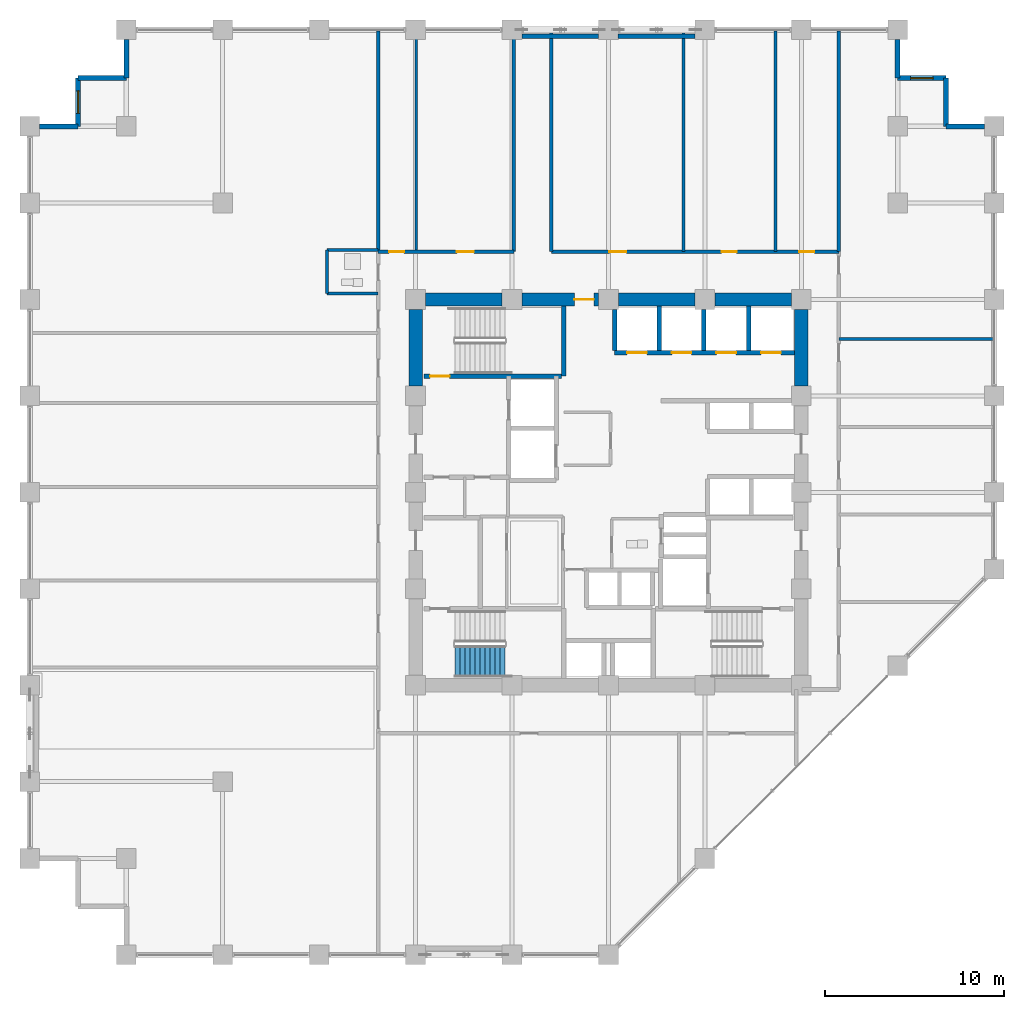
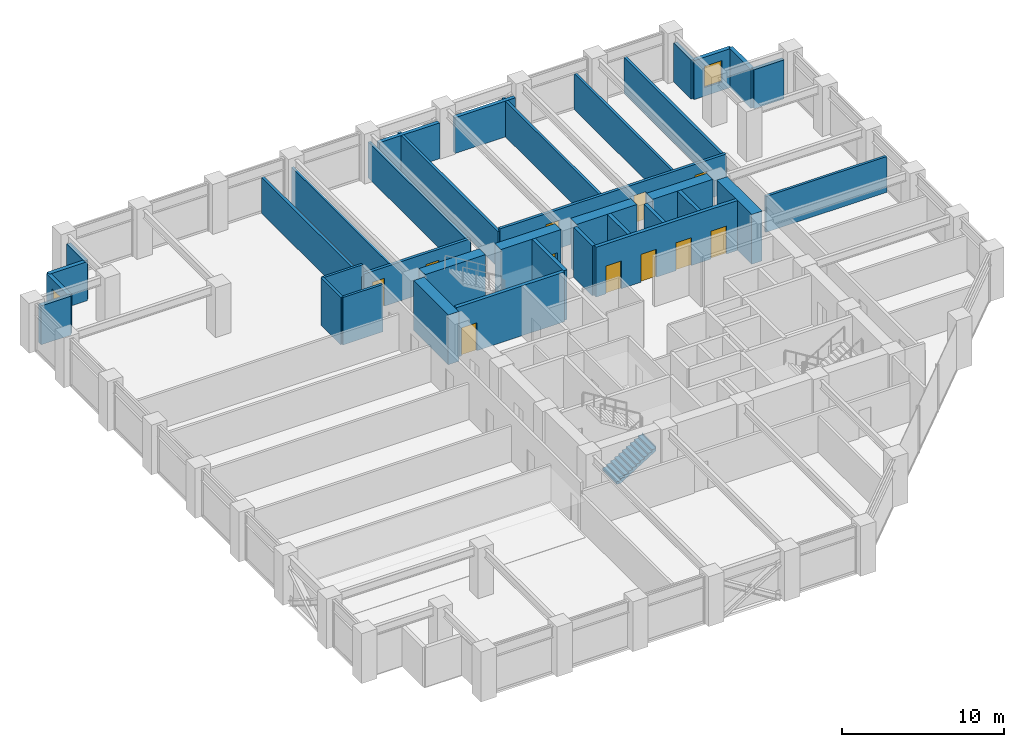
# One storey, part 21 of 25: 36 walls, 11 doors, 2 windows, 1 stair flight, 13 openings, 1 element without a shape of its own.
"""IFC4 building model written with IfcOpenShell, lengths in metres."""

from ifc_helpers import new_model, si_unit, direction, frame, frame_2d, origin, place, context, subcontext, project, spatial, polyline, rectangle, outline, extrude, material, layer, layer_set, type_object, element, fill, aggregate, save


model = new_model("IFC4")

# Units and contexts
model_context = context("Model", 3, precision=1e-05, world=origin(), true_north=direction((0.0, 1.0)))
body_context = subcontext(model_context, "Body", "Model", "MODEL_VIEW")
ifc_project = project(units=[si_unit("LENGTHUNIT", "METRE"), si_unit("AREAUNIT", "SQUARE_METRE"), si_unit("VOLUMEUNIT", "CUBIC_METRE"), si_unit("PLANEANGLEUNIT", "RADIAN"), si_unit("MASSUNIT", "GRAM", prefix="KILO")], contexts=[model_context])

# Site, building, storey
site_placement = place(None, origin())
site = spatial("IfcSite", under=ifc_project, at=site_placement, CompositionType="ELEMENT")
building_placement = place(site_placement, origin())
building = spatial("IfcBuilding", under=site, at=building_placement, Name="Surkhivell Harbour Commons", CompositionType="ELEMENT")
storey_placement = place(building_placement, frame((0.0, 0.0, 113.25)))
storey = spatial("IfcBuildingStorey", under=building, at=storey_placement, Name="L29", CompositionType="ELEMENT", Elevation=113.25)

# Wall
ifc_material_1 = material(Name="Concrete C60/75", Category="concrete")
ifc_layer_1 = layer(ifc_material_1, 0.75)
ifc_layer_set_1 = layer_set([ifc_layer_1], Name="Concrete C60/75")
wall_type_1 = type_object("IfcWallType", Name="WAL-CORE-750", PredefinedType="SHEAR", material=ifc_layer_set_1)
wall_1_placement = place(storey_placement, frame((-10.239990234375, 10.800048828125, 0.0), z_axis=(0.0, 0.0, 1.0), x_axis=(1.0, 0.0, 0.0)))
element("IfcWall", 1, at=wall_1_placement, inside=storey, type_object=wall_type_1, Name="L29 Core Shear Wall North 1", PredefinedType="SHEAR", context=body_context, shape_type="SweptSolid", body=[
    extrude(rectangle(XDim=4.280029296875, YDim=0.75, at=frame_2d((2.14013671875, 0.0))), origin(), (0.0, 0.0, 1.0), 3.75),
])

# Wall, opening, door
wall_2_placement = place(storey_placement, frame((-4.840087890625, 10.800048828125, 0.0), z_axis=(0.0, 0.0, 1.0), x_axis=(1.0, 0.0, 0.0)))
wall_2 = element("IfcWall", 2, at=wall_2_placement, inside=storey, type_object=wall_type_1, Name="L29 Core Shear Wall North 2", PredefinedType="SHEAR", context=body_context, shape_type="SweptSolid", body=[
    extrude(rectangle(XDim=4.280029296875, YDim=0.75, at=frame_2d((2.14013671875, 0.0))), origin(), (0.0, 0.0, 1.0), 3.75),
])
opening_1_placement = place(wall_2_placement, frame((2.929931640625, 0.0, 0.0)))
opening_1 = element("IfcOpeningElement", 3, at=opening_1_placement, cuts=wall_2, Name="Opening ID-2", PredefinedType="OPENING", context=body_context, shape_type="SweptSolid", body=[
    extrude(rectangle(XDim=1.10009765625, YDim=2.10009765625, at=frame_2d((0.550048828125, 1.050048828125))), frame((0.0, 0.385009765625, 0.0), z_axis=(0.0, -1.0, 0.0), x_axis=(1.0, 0.0, 0.0)), (0.0, 0.0, 1.0), 0.77001953125),
])
ifc_material_2 = material(Name="Hardwood-veneered fire-rated door leaf", Category="wood")
door_type_1 = type_object("IfcDoorType", Name="DOR-FD60-1100", OperationType="NOTDEFINED", PredefinedType="DOOR", material=ifc_material_2)
door_1_placement = place(opening_1_placement, origin())
door_1 = element("IfcDoor", 4, at=door_1_placement, inside=storey, type_object=door_type_1, Name="L29 Central Core Lift Hall North Corridor Door", OperationType="SINGLE_SWING_LEFT", OverallHeight=2.10009765625, OverallWidth=1.10009765625, PredefinedType="DOOR", context=body_context, shape_type="SweptSolid", body=[
    extrude(rectangle(XDim=1.10009765625, YDim=2.10009765625, at=frame_2d((0.550048828125, 1.050048828125))), frame((0.0, 0.02490234375, 0.0), z_axis=(0.0, -1.0, 0.0), x_axis=(1.0, 0.0, 0.0)), (0.0, 0.0, 1.0), 0.050048828125),
])
fill(opening_1, door_1)

# Walls
for number, where, z_axis, x_axis, name in (
    (5, (0.56005859375, 10.800048828125, 0.0), (0.0, 0.0, 1.0), (1.0, 0.0, 0.0), "L29 Core Shear Wall North 3"),
    (6, (5.9599609375, 10.800048828125, 0.0), (0.0, 0.0, 1.0), (1.0, 0.0, 0.0), "L29 Core Shear Wall North 4"),
    (7, (-10.800048828125, 5.9599609375, 0.0), (0.0, 0.0, 1.0), (0.0, 1.0, 0.0), "L29 Core Shear Wall West 4"),
    (8, (10.800048828125, 5.9599609375, 0.0), (0.0, 0.0, 1.0), (0.0, 1.0, 0.0), "L29 Core Shear Wall East 4"),
):
    element("IfcWall", number, at=place(storey_placement, frame(where, z_axis=z_axis, x_axis=x_axis)), inside=storey, type_object=wall_type_1, Name=name, PredefinedType="SHEAR", context=body_context, shape_type="SweptSolid", body=[
        extrude(rectangle(XDim=4.280029296875, YDim=0.75, at=frame_2d((2.14013671875, 0.0))), origin(), (0.0, 0.0, 1.0), 3.75),
    ])
ifc_material_3 = material(Name="Pale-metal insulated precast concrete C45/55", Category="concrete")
ifc_layer_2 = layer(ifc_material_3, 0.260009765625)
ifc_layer_set_2 = layer_set([ifc_layer_2], Name="Pale-metal insulated precast concrete C45/55")
wall_type_2 = type_object("IfcWallType", Name="WAL-EXT-MTL260", PredefinedType="STANDARD", material=ifc_layer_set_2)
for number, where, z_axis, x_axis, name in (
    (9, (-0.548095703125, 25.5400390625, 0.0), (0.0, 0.0, 1.0), (-1.0, 0.0, 0.0), "L29 Braced-Bay Insulated Spandrel Backing N"),
    (10, (4.85205078125, 25.5400390625, 0.0), (0.0, 0.0, 1.0), (-1.0, 0.0, 0.0), "L29 Braced-Bay Insulated Spandrel Backing N2"),
):
    element("IfcWall", number, at=place(storey_placement, frame(where, z_axis=z_axis, x_axis=x_axis)), inside=storey, type_object=wall_type_2, Name=name, PredefinedType="STANDARD", context=body_context, shape_type="SweptSolid", body=[
        extrude(rectangle(XDim=4.303955078125, YDim=0.260009765625, at=frame_2d((2.15185546875, 0.0))), origin(), (0.0, 0.0, 1.0), 2.698974609375),
    ])
ifc_material_4 = material(Name="Terracotta-clad reinforced concrete C45/55", Category="masonry")
ifc_layer_3 = layer(ifc_material_4, 0.280029296875)
ifc_layer_set_3 = layer_set([ifc_layer_3], Name="Terracotta-clad reinforced concrete C45/55")
wall_type_3 = type_object("IfcWallType", Name="WAL-EXT-TER280", PredefinedType="STANDARD", material=ifc_layer_set_3)
wall_3_placement = place(storey_placement, frame((21.052001953125, 20.5, 0.0), z_axis=(0.0, 0.0, 1.0), x_axis=(-1.0, 0.0, 0.0)))
element("IfcWall", 11, at=wall_3_placement, inside=storey, type_object=wall_type_3, Name="L29 Serrated Corner Facade Wall 03", PredefinedType="STANDARD", context=body_context, shape_type="SweptSolid", body=[
    extrude(rectangle(XDim=2.152099609375, YDim=0.280029296875, at=frame_2d((1.076171875, 0.0))), origin(), (0.0, 0.0, 1.0), 2.93310546875),
])
wall_4_placement = place(storey_placement, frame((18.89990234375, 20.5, 0.0), z_axis=(0.0, 0.0, 1.0), x_axis=(0.0, 1.0, 0.0)))
element("IfcWall", 12, at=wall_4_placement, inside=storey, type_object=wall_type_3, Name="L29 Serrated Corner Facade Wall 04", PredefinedType="STANDARD", context=body_context, shape_type="SweptSolid", body=[
    extrude(rectangle(XDim=2.699951171875, YDim=0.280029296875, at=frame_2d((1.35009765625, 0.0))), origin(), (0.0, 0.0, 1.0), 2.93310546875),
])

# Wall, opening, window
wall_5_placement = place(storey_placement, frame((18.89990234375, 23.199951171875, 0.0), z_axis=(0.0, 0.0, 1.0), x_axis=(-1.0, 0.0, 0.0)))
wall_5 = element("IfcWall", 13, at=wall_5_placement, inside=storey, type_object=wall_type_3, Name="L29 Serrated Corner Facade Wall 05", PredefinedType="STANDARD", context=body_context, shape_type="SweptSolid", body=[
    extrude(rectangle(XDim=2.699951171875, YDim=0.280029296875, at=frame_2d((1.35009765625, 0.0))), origin(), (0.0, 0.0, 1.0), 2.93310546875),
])
opening_2_placement = place(wall_5_placement, frame((0.72509765625, 0.0, 0.64990234375)))
opening_2 = element("IfcOpeningElement", 14, at=opening_2_placement, cuts=wall_5, Name="Opening WN-09", PredefinedType="OPENING", context=body_context, shape_type="SweptSolid", body=[
    extrude(rectangle(XDim=1.25, YDim=1.60009765625, at=frame_2d((0.625, 0.800048828125))), frame((0.0, 0.14990234375, 0.0), z_axis=(0.0, -1.0, 0.0), x_axis=(1.0, 0.0, 0.0)), (0.0, 0.0, 1.0), 0.300048828125),
])
ifc_material_5 = material(Name="Thermal-break aluminium frame and double low-E glazing", Category="aluminium")
window_type = type_object("IfcWindowType", Name="WIN-SER-1250x1600", PartitioningType="SINGLE_PANEL", PredefinedType="WINDOW", material=ifc_material_5)
window_1_placement = place(opening_2_placement, origin())
window_1 = element("IfcWindow", 15, at=window_1_placement, inside=storey, type_object=window_type, Name="L29 Serrated Alcove Window 05", OverallHeight=1.60009765625, OverallWidth=1.25, PartitioningType="SINGLE_PANEL", PredefinedType="WINDOW", context=body_context, shape_type="SweptSolid", body=[
    extrude(rectangle(XDim=1.25, YDim=1.60009765625, at=frame_2d((0.625, 0.800048828125))), frame((0.0, 0.030029296875, 0.0), z_axis=(0.0, -1.0, 0.0), x_axis=(1.0, 0.0, 0.0)), (0.0, 0.0, 1.0), 0.06005859375),
])
fill(opening_2, window_1)

# Walls
for number, where, z_axis, x_axis, name in (
    (16, (16.199951171875, 23.199951171875, 0.0), (0.0, 0.0, 1.0), (0.0, 1.0, 0.0), "L29 Serrated Corner Facade Wall 06"),
    (17, (-27.0, 25.35205078125, 0.0), (0.0, 0.0, 1.0), (0.0, -1.0, 0.0), "L29 Serrated Corner Facade Wall 08"),
):
    element("IfcWall", number, at=place(storey_placement, frame(where, z_axis=z_axis, x_axis=x_axis)), inside=storey, type_object=wall_type_3, Name=name, PredefinedType="STANDARD", context=body_context, shape_type="SweptSolid", body=[
        extrude(rectangle(XDim=2.152099609375, YDim=0.280029296875, at=frame_2d((1.076171875, 0.0))), origin(), (0.0, 0.0, 1.0), 2.93310546875),
    ])
wall_6_placement = place(storey_placement, frame((-27.0, 23.199951171875, 0.0), z_axis=(0.0, 0.0, 1.0), x_axis=(-1.0, 0.0, 0.0)))
element("IfcWall", 18, at=wall_6_placement, inside=storey, type_object=wall_type_3, Name="L29 Serrated Corner Facade Wall 09", PredefinedType="STANDARD", context=body_context, shape_type="SweptSolid", body=[
    extrude(rectangle(XDim=2.699951171875, YDim=0.280029296875, at=frame_2d((1.35009765625, 0.0))), origin(), (0.0, 0.0, 1.0), 2.93310546875),
])

# Wall, opening, window
wall_7_placement = place(storey_placement, frame((-29.699951171875, 23.199951171875, 0.0), z_axis=(0.0, 0.0, 1.0), x_axis=(0.0, -1.0, 0.0)))
wall_7 = element("IfcWall", 19, at=wall_7_placement, inside=storey, type_object=wall_type_3, Name="L29 Serrated Corner Facade Wall 10", PredefinedType="STANDARD", context=body_context, shape_type="SweptSolid", body=[
    extrude(rectangle(XDim=2.699951171875, YDim=0.280029296875, at=frame_2d((1.35009765625, 0.0))), origin(), (0.0, 0.0, 1.0), 2.93310546875),
])
opening_3_placement = place(wall_7_placement, frame((0.72509765625, 0.0, 0.64990234375)))
opening_3 = element("IfcOpeningElement", 20, at=opening_3_placement, cuts=wall_7, Name="Opening WN-09", PredefinedType="OPENING", context=body_context, shape_type="SweptSolid", body=[
    extrude(rectangle(XDim=1.25, YDim=1.60009765625, at=frame_2d((0.625, 0.800048828125))), frame((0.0, 0.14990234375, 0.0), z_axis=(0.0, -1.0, 0.0), x_axis=(1.0, 0.0, 0.0)), (0.0, 0.0, 1.0), 0.300048828125),
])
window_2_placement = place(opening_3_placement, origin())
window_2 = element("IfcWindow", 21, at=window_2_placement, inside=storey, type_object=window_type, Name="L29 Serrated Alcove Window 10", OverallHeight=1.60009765625, OverallWidth=1.25, PartitioningType="SINGLE_PANEL", PredefinedType="WINDOW", context=body_context, shape_type="SweptSolid", body=[
    extrude(rectangle(XDim=1.25, YDim=1.60009765625, at=frame_2d((0.625, 0.800048828125))), frame((0.0, 0.030029296875, 0.0), z_axis=(0.0, -1.0, 0.0), x_axis=(1.0, 0.0, 0.0)), (0.0, 0.0, 1.0), 0.06005859375),
])
fill(opening_3, window_2)

# Walls
wall_8_placement = place(storey_placement, frame((-29.699951171875, 20.5, 0.0), z_axis=(0.0, 0.0, 1.0), x_axis=(-1.0, 0.0, 0.0)))
element("IfcWall", 22, at=wall_8_placement, inside=storey, type_object=wall_type_3, Name="L29 Serrated Corner Facade Wall 11", PredefinedType="STANDARD", context=body_context, shape_type="SweptSolid", body=[
    extrude(rectangle(XDim=2.152099609375, YDim=0.280029296875, at=frame_2d((1.076171875, 0.0))), origin(), (0.0, 0.0, 1.0), 2.93310546875),
])
ifc_material_6 = material(Name="Twin-stud acoustic fireboard partition", Category="other")
ifc_layer_4 = layer(ifc_material_6, 0.14990234375)
ifc_layer_set_4 = layer_set([ifc_layer_4], Name="Twin-stud acoustic fireboard partition")
wall_type_4 = type_object("IfcWallType", Name="WAL-INT-150", PredefinedType="PARTITIONING", material=ifc_layer_set_4)
wall_9_placement = place(storey_placement, frame((-10.77001953125, 13.47998046875, 0.0), z_axis=(0.0, 0.0, 1.0), x_axis=(0.0, 1.0, 0.0)))
element("IfcWall", 23, at=wall_9_placement, inside=storey, type_object=wall_type_4, Name="L29 North-West Partition P1", PredefinedType="PARTITIONING", context=body_context, shape_type="SweptSolid", body=[
    extrude(rectangle(XDim=12.360107421875, YDim=0.14990234375, at=frame_2d((6.18017578125, 0.0))), origin(), (0.0, 0.0, 1.0), 2.698974609375),
])
ifc_material_7 = material(Name="High-density acoustic blockwork fire partition", Category="masonry")
ifc_layer_5 = layer(ifc_material_7, 0.175048828125)
ifc_layer_set_5 = layer_set([ifc_layer_5], Name="High-density acoustic blockwork fire partition")
wall_type_5 = type_object("IfcWallType", Name="WAL-INT-175", PredefinedType="PARTITIONING", material=ifc_layer_set_5)
wall_10_placement = place(storey_placement, frame((12.89990234375, 8.580078125, 0.0), z_axis=(0.0, 0.0, 1.0), x_axis=(1.0, 0.0, 0.0)))
element("IfcWall", 24, at=wall_10_placement, inside=storey, type_object=wall_type_5, Name="L29 East Partition P4", PredefinedType="PARTITIONING", context=body_context, shape_type="SweptSolid", body=[
    extrude(rectangle(XDim=8.64013671875, YDim=0.175048828125, at=frame_2d((4.320068359375, 0.0))), origin(), (0.0, 0.0, 1.0), 2.698974609375),
])
for number, where, z_axis, x_axis, name in (
    (25, (4.2099609375, 13.47998046875, 0.0), (0.0, 0.0, 1.0), (0.0, 1.0, 0.0), "L29 North-East Partition P1"),
    (26, (9.360107421875, 13.47998046875, 0.0), (0.0, 0.0, 1.0), (0.0, 1.0, 0.0), "L29 North-East Partition P2"),
):
    element("IfcWall", number, at=place(storey_placement, frame(where, z_axis=z_axis, x_axis=x_axis)), inside=storey, type_object=wall_type_5, Name=name, PredefinedType="PARTITIONING", context=body_context, shape_type="SweptSolid", body=[
        extrude(rectangle(XDim=12.360107421875, YDim=0.175048828125, at=frame_2d((6.18017578125, 0.0))), origin(), (0.0, 0.0, 1.0), 2.698974609375),
    ])
wall_11_placement = place(storey_placement, frame((-15.75, 11.1298828125, 0.0), z_axis=(0.0, 0.0, 1.0), x_axis=(0.0, 1.0, 0.0)))
element("IfcWall", 27, at=wall_11_placement, inside=storey, type_object=wall_type_5, Name="L29 West Partition BTHB", PredefinedType="PARTITIONING", context=body_context, shape_type="SweptSolid", body=[
    extrude(rectangle(XDim=2.4501953125, YDim=0.175048828125, at=frame_2d((1.22509765625, 0.0))), origin(), (0.0, 0.0, 1.0), 3.570068359375),
])
for number, where, z_axis, x_axis, name in (
    (28, (-15.75, 13.580078125, 0.0), (0.0, 0.0, 1.0), (1.0, 0.0, 0.0), "L29 West Partition BTHN"),
    (29, (-15.75, 11.1298828125, 0.0), (0.0, 0.0, 1.0), (1.0, 0.0, 0.0), "L29 West Partition BTHS"),
):
    element("IfcWall", number, at=place(storey_placement, frame(where, z_axis=z_axis, x_axis=x_axis)), inside=storey, type_object=wall_type_5, Name=name, PredefinedType="PARTITIONING", context=body_context, shape_type="SweptSolid", body=[
        extrude(rectangle(XDim=2.85009765625, YDim=0.175048828125, at=frame_2d((1.425048828125, 0.0))), origin(), (0.0, 0.0, 1.0), 3.570068359375),
    ])
ifc_material_8 = material(Name="Autoclaved aerated concrete blockwork and fire plaster", Category="masonry")
ifc_layer_6 = layer(ifc_material_8, 0.199951171875)
ifc_layer_set_6 = layer_set([ifc_layer_6], Name="Autoclaved aerated concrete blockwork and fire plaster")
wall_type_6 = type_object("IfcWallType", Name="WAL-INT-200", PredefinedType="PARTITIONING", material=ifc_layer_set_6)
for number, where, z_axis, x_axis, name in (
    (30, (12.89990234375, 13.47998046875, 0.0), (0.0, 0.0, 1.0), (0.0, 1.0, 0.0), "L29 North-East Wing Corner Divider"),
    (31, (-12.89990234375, 13.47998046875, 0.0), (0.0, 0.0, 1.0), (0.0, 1.0, 0.0), "L29 North-West Wing Corner Divider"),
):
    element("IfcWall", number, at=place(storey_placement, frame(where, z_axis=z_axis, x_axis=x_axis)), inside=storey, type_object=wall_type_6, Name=name, PredefinedType="PARTITIONING", context=body_context, shape_type="SweptSolid", body=[
        extrude(rectangle(XDim=12.360107421875, YDim=0.199951171875, at=frame_2d((6.18017578125, 0.0))), origin(), (0.0, 0.0, 1.0), 2.698974609375),
    ])

# Wall, openings, doors
wall_12_placement = place(storey_placement, frame((-12.89990234375, 13.47998046875, 0.0), z_axis=(0.0, 0.0, 1.0), x_axis=(1.0, 0.0, 0.0)))
wall_12 = element("IfcWall", 32, at=wall_12_placement, inside=storey, type_object=wall_type_6, Name="L29 Corridor North-West Wall", PredefinedType="PARTITIONING", context=body_context, shape_type="SweptSolid", body=[
    extrude(rectangle(XDim=7.599853515625, YDim=0.199951171875, at=frame_2d((3.7998046875, 0.0))), origin(), (0.0, 0.0, 1.0), 2.93310546875),
])
opening_4_placement = place(wall_12_placement, frame((0.614990234375, 0.0, 0.0)))
opening_4 = element("IfcOpeningElement", 33, at=opening_4_placement, cuts=wall_12, Name="Opening ID-6", PredefinedType="OPENING", context=body_context, shape_type="SweptSolid", body=[
    extrude(rectangle(XDim=0.85009765625, YDim=2.10009765625, at=frame_2d((0.425048828125, 1.050048828125))), frame((0.0, 0.10986328125, 0.0), z_axis=(0.0, -1.0, 0.0), x_axis=(1.0, 0.0, 0.0)), (0.0, 0.0, 1.0), 0.219970703125),
])
opening_5_placement = place(wall_12_placement, frame((4.4150390625, 0.0, 0.0)))
opening_5 = element("IfcOpeningElement", 34, at=opening_5_placement, cuts=wall_12, Name="Opening ID-4", PredefinedType="OPENING", context=body_context, shape_type="SweptSolid", body=[
    extrude(rectangle(XDim=0.949951171875, YDim=2.10009765625, at=frame_2d((0.47509765625, 1.050048828125))), frame((0.0, 0.10986328125, 0.0), z_axis=(0.0, -1.0, 0.0), x_axis=(1.0, 0.0, 0.0)), (0.0, 0.0, 1.0), 0.219970703125),
])
door_type_2 = type_object("IfcDoorType", Name="DOR-FD30-850", OperationType="NOTDEFINED", PredefinedType="DOOR", material=ifc_material_2)
door_2_placement = place(opening_4_placement, origin())
door_2 = element("IfcDoor", 35, at=door_2_placement, inside=storey, type_object=door_type_2, Name="L29 Shared Communal Kitchen A North-West Door", OperationType="SINGLE_SWING_RIGHT", OverallHeight=2.10009765625, OverallWidth=0.85009765625, PredefinedType="DOOR", context=body_context, shape_type="SweptSolid", body=[
    extrude(rectangle(XDim=0.85009765625, YDim=2.10009765625, at=frame_2d((0.425048828125, 1.050048828125))), frame((0.0, 0.02490234375, 0.0), z_axis=(0.0, -1.0, 0.0), x_axis=(1.0, 0.0, 0.0)), (0.0, 0.0, 1.0), 0.050048828125),
])
fill(opening_4, door_2)
door_type_3 = type_object("IfcDoorType", Name="DOR-FD60-950", OperationType="NOTDEFINED", PredefinedType="DOOR", material=ifc_material_2)
door_3_placement = place(opening_5_placement, origin())
door_3 = element("IfcDoor", 36, at=door_3_placement, inside=storey, type_object=door_type_3, Name="L29 Shared Communal Kitchen B North-West Door", OperationType="SINGLE_SWING_LEFT", OverallHeight=2.10009765625, OverallWidth=0.949951171875, PredefinedType="DOOR", context=body_context, shape_type="SweptSolid", body=[
    extrude(rectangle(XDim=0.949951171875, YDim=2.10009765625, at=frame_2d((0.47509765625, 1.050048828125))), frame((0.0, 0.02490234375, 0.0), z_axis=(0.0, -1.0, 0.0), x_axis=(1.0, 0.0, 0.0)), (0.0, 0.0, 1.0), 0.050048828125),
])
fill(opening_5, door_3)

wall_13_placement = place(storey_placement, frame((-3.199951171875, 13.47998046875, 0.0), z_axis=(0.0, 0.0, 1.0), x_axis=(1.0, 0.0, 0.0)))
wall_13 = element("IfcWall", 37, at=wall_13_placement, inside=storey, type_object=wall_type_6, Name="L29 Corridor North-East Wall", PredefinedType="PARTITIONING", context=body_context, shape_type="SweptSolid", body=[
    extrude(rectangle(XDim=16.099853515625, YDim=0.199951171875, at=frame_2d((8.0498046875, 0.0))), origin(), (0.0, 0.0, 1.0), 2.93310546875),
])
opening_6_placement = place(wall_13_placement, frame((3.2548828125, 0.0, 0.0)))
opening_6 = element("IfcOpeningElement", 38, at=opening_6_placement, cuts=wall_13, Name="Opening ID-4", PredefinedType="OPENING", context=body_context, shape_type="SweptSolid", body=[
    extrude(rectangle(XDim=0.949951171875, YDim=2.10009765625, at=frame_2d((0.47509765625, 1.050048828125))), frame((0.0, 0.10986328125, 0.0), z_axis=(0.0, -1.0, 0.0), x_axis=(1.0, 0.0, 0.0)), (0.0, 0.0, 1.0), 0.219970703125),
])
opening_7_placement = place(wall_13_placement, frame((9.534912109375, 0.0, 0.0)))
opening_7 = element("IfcOpeningElement", 39, at=opening_7_placement, cuts=wall_13, Name="Opening ID-6", PredefinedType="OPENING", context=body_context, shape_type="SweptSolid", body=[
    extrude(rectangle(XDim=0.85009765625, YDim=2.10009765625, at=frame_2d((0.425048828125, 1.050048828125))), frame((0.0, 0.10986328125, 0.0), z_axis=(0.0, -1.0, 0.0), x_axis=(1.0, 0.0, 0.0)), (0.0, 0.0, 1.0), 0.219970703125),
])
opening_8_placement = place(wall_13_placement, frame((13.8798828125, 0.0, 0.0)))
opening_8 = element("IfcOpeningElement", 40, at=opening_8_placement, cuts=wall_13, Name="Opening ID-6", PredefinedType="OPENING", context=body_context, shape_type="SweptSolid", body=[
    extrude(rectangle(XDim=0.85009765625, YDim=2.10009765625, at=frame_2d((0.425048828125, 1.050048828125))), frame((0.0, 0.10986328125, 0.0), z_axis=(0.0, -1.0, 0.0), x_axis=(1.0, 0.0, 0.0)), (0.0, 0.0, 1.0), 0.219970703125),
])
door_4_placement = place(opening_7_placement, origin())
door_4 = element("IfcDoor", 41, at=door_4_placement, inside=storey, type_object=door_type_2, Name="L29 Resident Social Lounge 2 North-East Door", OperationType="SINGLE_SWING_LEFT", OverallHeight=2.10009765625, OverallWidth=0.85009765625, PredefinedType="DOOR", context=body_context, shape_type="SweptSolid", body=[
    extrude(rectangle(XDim=0.85009765625, YDim=2.10009765625, at=frame_2d((0.425048828125, 1.050048828125))), frame((0.0, 0.02490234375, 0.0), z_axis=(0.0, -1.0, 0.0), x_axis=(1.0, 0.0, 0.0)), (0.0, 0.0, 1.0), 0.050048828125),
])
fill(opening_7, door_4)
door_5_placement = place(opening_8_placement, origin())
door_5 = element("IfcDoor", 42, at=door_5_placement, inside=storey, type_object=door_type_2, Name="L29 Resident Social Lounge 3 North-East Door", OperationType="SINGLE_SWING_RIGHT", OverallHeight=2.10009765625, OverallWidth=0.85009765625, PredefinedType="DOOR", context=body_context, shape_type="SweptSolid", body=[
    extrude(rectangle(XDim=0.85009765625, YDim=2.10009765625, at=frame_2d((0.425048828125, 1.050048828125))), frame((0.0, 0.02490234375, 0.0), z_axis=(0.0, -1.0, 0.0), x_axis=(1.0, 0.0, 0.0)), (0.0, 0.0, 1.0), 0.050048828125),
])
fill(opening_8, door_5)
door_6_placement = place(opening_6_placement, origin())
door_6 = element("IfcDoor", 43, at=door_6_placement, inside=storey, type_object=door_type_3, Name="L29 Harbour Social Lounge North-East Door", OperationType="SINGLE_SWING_RIGHT", OverallHeight=2.10009765625, OverallWidth=0.949951171875, PredefinedType="DOOR", context=body_context, shape_type="SweptSolid", body=[
    extrude(rectangle(XDim=0.949951171875, YDim=2.10009765625, at=frame_2d((0.47509765625, 1.050048828125))), frame((0.0, 0.02490234375, 0.0), z_axis=(0.0, -1.0, 0.0), x_axis=(1.0, 0.0, 0.0)), (0.0, 0.0, 1.0), 0.050048828125),
])
fill(opening_6, door_6)

# Walls
for number, where, z_axis, x_axis, name in (
    (44, (-3.199951171875, 13.47998046875, 0.0), (0.0, 0.0, 1.0), (0.0, 1.0, 0.0), "L29 North Alcove East Wall"),
    (45, (-5.300048828125, 13.47998046875, 0.0), (0.0, 0.0, 1.0), (0.0, 1.0, 0.0), "L29 North Alcove West Wall"),
):
    element("IfcWall", number, at=place(storey_placement, frame(where, z_axis=z_axis, x_axis=x_axis)), inside=storey, type_object=wall_type_6, Name=name, PredefinedType="PARTITIONING", context=body_context, shape_type="SweptSolid", body=[
        extrude(rectangle(XDim=12.360107421875, YDim=0.199951171875, at=frame_2d((6.18017578125, 0.0))), origin(), (0.0, 0.0, 1.0), 2.698974609375),
    ])
ifc_material_9 = material(Name="Concrete C50/60", Category="concrete")
ifc_layer_7 = layer(ifc_material_9, 0.25)
ifc_layer_set_7 = layer_set([ifc_layer_7], Name="Concrete C50/60")
wall_type_7 = type_object("IfcWallType", Name="WAL-SHAFT-250", PredefinedType="SHEAR", material=ifc_layer_set_7)
wall_14_placement = place(storey_placement, frame((2.85009765625, 7.93994140625, 0.0), z_axis=(0.0, 0.0, 1.0), x_axis=(0.0, 1.0, 0.0)))
element("IfcWall", 46, at=wall_14_placement, inside=storey, type_object=wall_type_7, Name="L29 Low-Rise Hoistway Wall", PredefinedType="SHEAR", context=body_context, shape_type="SweptSolid", body=[
    extrude(rectangle(XDim=2.485107421875, YDim=0.25, at=frame_2d((1.24267578125, 0.0))), origin(), (0.0, 0.0, 1.0), 3.75),
])
for number, where, z_axis, x_axis, name in (
    (47, (0.35009765625, 7.93994140625, 0.0), (0.0, 0.0, 1.0), (0.0, 1.0, 0.0), "L29 Low-Rise Hoistway Wall"),
    (48, (5.35009765625, 7.93994140625, 0.0), (0.0, 0.0, 1.0), (0.0, 1.0, 0.0), "L29 Low-Rise Hoistway Wall"),
):
    element("IfcWall", number, at=place(storey_placement, frame(where, z_axis=z_axis, x_axis=x_axis)), inside=storey, type_object=wall_type_7, Name=name, PredefinedType="SHEAR", context=body_context, shape_type="SweptSolid", body=[
        extrude(rectangle(XDim=2.31005859375, YDim=0.25, at=frame_2d((1.155029296875, 0.0))), origin(), (0.0, 0.0, 1.0), 3.75),
    ])
wall_15_placement = place(storey_placement, frame((7.85009765625, 7.93994140625, 0.0), z_axis=(0.0, 0.0, 1.0), x_axis=(0.0, 1.0, 0.0)))
element("IfcWall", 49, at=wall_15_placement, inside=storey, type_object=wall_type_7, Name="L29 Low-Rise Hoistway Wall", PredefinedType="SHEAR", context=body_context, shape_type="SweptSolid", body=[
    extrude(rectangle(XDim=2.485107421875, YDim=0.25, at=frame_2d((1.24267578125, 0.0))), origin(), (0.0, 0.0, 1.0), 3.75),
])

# Wall, openings, doors
wall_16_placement = place(storey_placement, frame((0.35009765625, 7.820068359375, 0.0), z_axis=(0.0, 0.0, 1.0), x_axis=(1.0, 0.0, 0.0)))
wall_16 = element("IfcWall", 50, at=wall_16_placement, inside=storey, type_object=wall_type_7, Name="L29 Low-Rise Lift Front Shaft Wall", PredefinedType="SHEAR", context=body_context, shape_type="SweptSolid", body=[
    extrude(rectangle(XDim=10.074951171875, YDim=0.25, at=frame_2d((5.03759765625, 0.0))), origin(), (0.0, 0.0, 1.0), 3.75),
])
opening_9_placement = place(wall_16_placement, frame((0.699951171875, 0.0, 0.0)))
opening_9 = element("IfcOpeningElement", 51, at=opening_9_placement, cuts=wall_16, Name="Opening LD-1", PredefinedType="OPENING", context=body_context, shape_type="SweptSolid", body=[
    extrude(rectangle(XDim=1.10009765625, YDim=2.10009765625, at=frame_2d((0.550048828125, 1.050048828125))), frame((0.0, 0.135009765625, 0.0), z_axis=(0.0, -1.0, 0.0), x_axis=(1.0, 0.0, 0.0)), (0.0, 0.0, 1.0), 0.27001953125),
])
opening_10_placement = place(wall_16_placement, frame((3.199951171875, 0.0, 0.0)))
opening_10 = element("IfcOpeningElement", 52, at=opening_10_placement, cuts=wall_16, Name="Opening LD-1", PredefinedType="OPENING", context=body_context, shape_type="SweptSolid", body=[
    extrude(rectangle(XDim=1.10009765625, YDim=2.10009765625, at=frame_2d((0.550048828125, 1.050048828125))), frame((0.0, 0.135009765625, 0.0), z_axis=(0.0, -1.0, 0.0), x_axis=(1.0, 0.0, 0.0)), (0.0, 0.0, 1.0), 0.27001953125),
])
opening_11_placement = place(wall_16_placement, frame((5.699951171875, 0.0, 0.0)))
opening_11 = element("IfcOpeningElement", 53, at=opening_11_placement, cuts=wall_16, Name="Opening LD-1", PredefinedType="OPENING", context=body_context, shape_type="SweptSolid", body=[
    extrude(rectangle(XDim=1.10009765625, YDim=2.10009765625, at=frame_2d((0.550048828125, 1.050048828125))), frame((0.0, 0.135009765625, 0.0), z_axis=(0.0, -1.0, 0.0), x_axis=(1.0, 0.0, 0.0)), (0.0, 0.0, 1.0), 0.27001953125),
])
opening_12_placement = place(wall_16_placement, frame((8.199951171875, 0.0, 0.0)))
opening_12 = element("IfcOpeningElement", 54, at=opening_12_placement, cuts=wall_16, Name="Opening LD-1", PredefinedType="OPENING", context=body_context, shape_type="SweptSolid", body=[
    extrude(rectangle(XDim=1.10009765625, YDim=2.10009765625, at=frame_2d((0.550048828125, 1.050048828125))), frame((0.0, 0.135009765625, 0.0), z_axis=(0.0, -1.0, 0.0), x_axis=(1.0, 0.0, 0.0)), (0.0, 0.0, 1.0), 0.27001953125),
])
ifc_material_10 = material(Name="Brushed stainless steel S355", Category="steel")
door_type_4 = type_object("IfcDoorType", Name="DOR-LD-1100", OperationType="SLIDING_TO_LEFT", PredefinedType="DOOR", material=ifc_material_10)
door_7_placement = place(opening_9_placement, origin())
door_7 = element("IfcDoor", 55, at=door_7_placement, inside=storey, type_object=door_type_4, Name="L29 Lift Landing Door LD-PL1", OperationType="SLIDING_TO_LEFT", OverallHeight=2.10009765625, OverallWidth=1.10009765625, PredefinedType="DOOR", context=body_context, shape_type="SweptSolid", body=[
    extrude(rectangle(XDim=1.10009765625, YDim=2.10009765625, at=frame_2d((0.550048828125, 1.050048828125))), frame((0.0, 0.02490234375, 0.0), z_axis=(0.0, -1.0, 0.0), x_axis=(1.0, 0.0, 0.0)), (0.0, 0.0, 1.0), 0.050048828125),
])
fill(opening_9, door_7)
door_8_placement = place(opening_10_placement, origin())
door_8 = element("IfcDoor", 56, at=door_8_placement, inside=storey, type_object=door_type_4, Name="L29 Lift Landing Door LD-PL2", OperationType="SLIDING_TO_LEFT", OverallHeight=2.10009765625, OverallWidth=1.10009765625, PredefinedType="DOOR", context=body_context, shape_type="SweptSolid", body=[
    extrude(rectangle(XDim=1.10009765625, YDim=2.10009765625, at=frame_2d((0.550048828125, 1.050048828125))), frame((0.0, 0.02490234375, 0.0), z_axis=(0.0, -1.0, 0.0), x_axis=(1.0, 0.0, 0.0)), (0.0, 0.0, 1.0), 0.050048828125),
])
fill(opening_10, door_8)
door_9_placement = place(opening_11_placement, origin())
door_9 = element("IfcDoor", 57, at=door_9_placement, inside=storey, type_object=door_type_4, Name="L29 Lift Landing Door LD-PL3", OperationType="SLIDING_TO_LEFT", OverallHeight=2.10009765625, OverallWidth=1.10009765625, PredefinedType="DOOR", context=body_context, shape_type="SweptSolid", body=[
    extrude(rectangle(XDim=1.10009765625, YDim=2.10009765625, at=frame_2d((0.550048828125, 1.050048828125))), frame((0.0, 0.02490234375, 0.0), z_axis=(0.0, -1.0, 0.0), x_axis=(1.0, 0.0, 0.0)), (0.0, 0.0, 1.0), 0.050048828125),
])
fill(opening_11, door_9)
door_10_placement = place(opening_12_placement, origin())
door_10 = element("IfcDoor", 58, at=door_10_placement, inside=storey, type_object=door_type_4, Name="L29 Lift Landing Door LD-PL4", OperationType="SLIDING_TO_LEFT", OverallHeight=2.10009765625, OverallWidth=1.10009765625, PredefinedType="DOOR", context=body_context, shape_type="SweptSolid", body=[
    extrude(rectangle(XDim=1.10009765625, YDim=2.10009765625, at=frame_2d((0.550048828125, 1.050048828125))), frame((0.0, 0.02490234375, 0.0), z_axis=(0.0, -1.0, 0.0), x_axis=(1.0, 0.0, 0.0)), (0.0, 0.0, 1.0), 0.050048828125),
])
fill(opening_12, door_10)

# Wall
wall_17_placement = place(storey_placement, frame((-2.510009765625, 6.510009765625, 0.0), z_axis=(0.0, 0.0, 1.0), x_axis=(0.0, 1.0, 0.0)))
element("IfcWall", 59, at=wall_17_placement, inside=storey, type_object=wall_type_7, Name="L29 Stair ST1 East Shear Wall", PredefinedType="SHEAR", context=body_context, shape_type="SweptSolid", body=[
    extrude(rectangle(XDim=3.9150390625, YDim=0.25, at=frame_2d((1.95751953125, 0.0))), origin(), (0.0, 0.0, 1.0), 3.75),
])

# Wall, opening, door
wall_18_placement = place(storey_placement, frame((-10.340087890625, 6.510009765625, 0.0), z_axis=(0.0, 0.0, 1.0), x_axis=(1.0, 0.0, 0.0)))
wall_18 = element("IfcWall", 60, at=wall_18_placement, inside=storey, type_object=wall_type_7, Name="L29 Stair ST1 South Shear Wall", PredefinedType="SHEAR", context=body_context, shape_type="SweptSolid", body=[
    extrude(rectangle(XDim=7.7001953125, YDim=0.25, at=frame_2d((3.85009765625, 0.0))), origin(), (0.0, 0.0, 1.0), 3.75),
])
opening_13_placement = place(wall_18_placement, frame((0.35009765625, 0.0, 0.0)))
opening_13 = element("IfcOpeningElement", 61, at=opening_13_placement, cuts=wall_18, Name="Opening ID-2", PredefinedType="OPENING", context=body_context, shape_type="SweptSolid", body=[
    extrude(rectangle(XDim=1.10009765625, YDim=2.10009765625, at=frame_2d((0.550048828125, 1.050048828125))), frame((0.0, 0.135009765625, 0.0), z_axis=(0.0, -1.0, 0.0), x_axis=(1.0, 0.0, 0.0)), (0.0, 0.0, 1.0), 0.27001953125),
])
door_11_placement = place(opening_13_placement, origin())
door_11 = element("IfcDoor", 62, at=door_11_placement, inside=storey, type_object=door_type_1, Name="L29 Stair ST1 Exit Door", OperationType="SINGLE_SWING_LEFT", OverallHeight=2.10009765625, OverallWidth=1.10009765625, PredefinedType="DOOR", context=body_context, shape_type="SweptSolid", body=[
    extrude(rectangle(XDim=1.10009765625, YDim=2.10009765625, at=frame_2d((0.550048828125, 1.050048828125))), frame((0.0, 0.02490234375, 0.0), z_axis=(0.0, -1.0, 0.0), x_axis=(1.0, 0.0, 0.0)), (0.0, 0.0, 1.0), 0.050048828125),
])
fill(opening_13, door_11)

# Stair, stair flight
ifc_material_11 = material(Name="Precast concrete C45/55", Category="concrete")
stair_type = type_object("IfcStairType", Name="STR-DL-375", PredefinedType="HALF_TURN_STAIR", material=ifc_material_11)
stair_placement = place(storey_placement, origin())
stair = element("IfcStair", 63, at=stair_placement, inside=storey, type_object=stair_type, Name="L29 Core Exit Stair ST3", PredefinedType="HALF_TURN_STAIR")
stair_flight_type = type_object("IfcStairFlightType", Name="STF-DL-375", PredefinedType="STRAIGHT", material=ifc_material_11)
stair_flight_placement = place(storey_placement, frame((-8.590087890625, -9.465087890625, 0.0), z_axis=(0.0, 0.0, 1.0), x_axis=(1.0, 0.0, 0.0)))
stair_flight = element("IfcStairFlight", 64, at=stair_flight_placement, type_object=stair_flight_type, Name="ST3 flight 1", NumberOfRisers=11, NumberOfTreads=10, PredefinedType="STRAIGHT", RiserHeight=0.170454545, TreadLength=0.28, context=body_context, shape_type="SweptSolid", body=[
    extrude(outline(polyline([(-0.0029296875, -0.034912109375), (-0.0029296875, 0.0), (0.0, 0.0), (0.0, 0.17041015625), (0.280029296875, 0.17041015625), (0.280029296875, 0.3408203125), (0.56005859375, 0.3408203125), (0.56005859375, 0.511474609375), (0.840087890625, 0.511474609375), (0.840087890625, 0.681884765625), (1.1201171875, 0.681884765625), (1.1201171875, 0.852294921875), (1.39990234375, 0.852294921875), (1.39990234375, 1.022705078125), (1.679931640625, 1.022705078125), (1.679931640625, 1.193115234375), (1.9599609375, 1.193115234375), (1.9599609375, 1.363525390625), (2.239990234375, 1.363525390625), (2.239990234375, 1.5341796875), (2.52001953125, 1.5341796875), (2.52001953125, 1.70458984375), (2.800048828125, 1.70458984375), (2.800048828125, 1.875), (2.802978515625, 1.875), (2.802978515625, 1.529052734375), (0.288330078125, -0.034912109375), (-0.0029296875, -0.034912109375)])), frame((0.0, 0.875, 0.0), z_axis=(0.0, -1.0, 0.0), x_axis=(1.0, 0.0, 0.0)), (0.0, 0.0, 1.0), 1.75),
])
aggregate(stair, [stair_flight])

save(model, "model.ifc")
